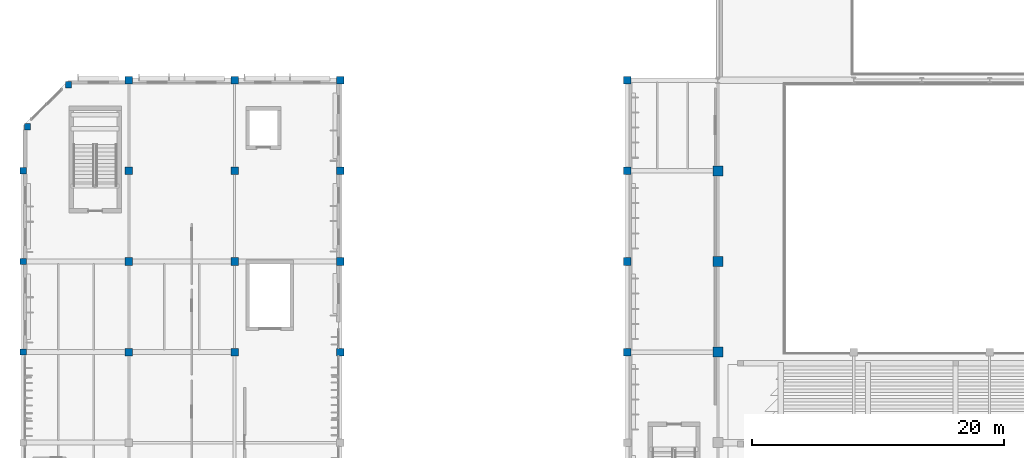
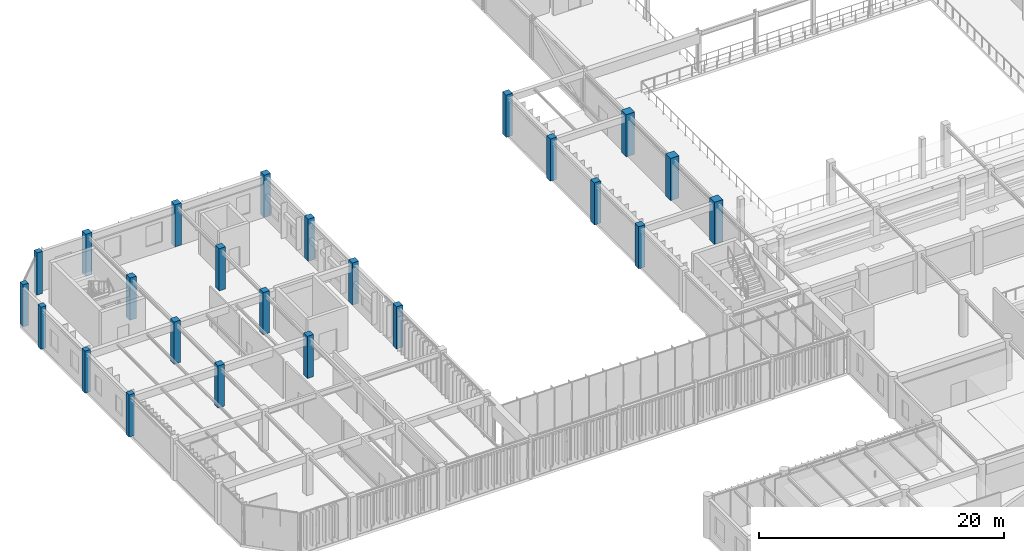
# One storey, part 6 of 122: 24 columns.
"""IFC4 building model written with IfcOpenShell, lengths in metres."""

from ifc_helpers import new_model, si_unit, direction, frame, origin, origin_2d, place, context, subcontext, project, spatial, rectangle, extrude, material, material_profile, profile_set, type_object, element, save


model = new_model("IFC4")

# Units and contexts
model_context = context("Model", 3, precision=1e-05, world=origin(), true_north=direction((0.0, 1.0)))
body_context = subcontext(model_context, "Body", "Model", "MODEL_VIEW")
ifc_project = project(units=[si_unit("LENGTHUNIT", "METRE"), si_unit("AREAUNIT", "SQUARE_METRE"), si_unit("VOLUMEUNIT", "CUBIC_METRE"), si_unit("PLANEANGLEUNIT", "RADIAN"), si_unit("MASSUNIT", "GRAM", prefix="KILO")], contexts=[model_context])

# Site, building, storey
site_placement = place(None, origin())
site = spatial("IfcSite", under=ifc_project, at=site_placement, CompositionType="ELEMENT")
building_placement = place(site_placement, origin())
building = spatial("IfcBuilding", under=site, at=building_placement, Name="Tazoul Stagehouse", CompositionType="ELEMENT")
storey_placement = place(building_placement, frame((0.0, 0.0, 4.800048828125)))
storey = spatial("IfcBuildingStorey", under=building, at=storey_placement, Name="L01", CompositionType="ELEMENT", Elevation=4.800048828125)

# Columns
ifc_material = material(Name="Concrete C40/50", Category="concrete")
ifc_material_profile_1 = material_profile(ifc_material, rectangle(XDim=0.5, YDim=0.5, at=origin_2d()), Name="RC 500x500")
ifc_profile_set_1 = profile_set([ifc_material_profile_1], Name="Concrete C40/50")
column_type_1 = type_object("IfcColumnType", Name="RC Column 500x500 (Exterior)", PredefinedType="COLUMN", material=ifc_profile_set_1)
for number, where, z_axis, x_axis, name in (
    (1, (2.39990234375, 66.199951171875, 0.0), (0.0, 0.0, 1.0), (1.0, 0.0, 0.0), "L01 Column C-02E at 1/K"),
    (2, (2.39990234375, 73.39990234375, 0.0), (0.0, 0.0, 1.0), (1.0, 0.0, 0.0), "L01 Column C-02E at 1/L"),
    (3, (2.39990234375, 80.60009765625, 0.0), (0.0, 0.0, 1.0), (1.0, 0.0, 0.0), "L01 Column C-02E at 1/M"),
    (4, (6.0, 87.449951171875, 0.0), (0.0, 0.0, 1.0), (1.0, 0.0, 0.0), "L01 Black-Box Chamfer Column C-02E (1)"),
    (5, (2.75, 84.10009765625, 0.0), (0.0, 0.0, 1.0), (1.0, 0.0, 0.0), "L01 Black-Box Chamfer Column C-02E (2)"),
):
    element("IfcColumn", number, at=place(storey_placement, frame(where, z_axis=z_axis, x_axis=x_axis)), inside=storey, type_object=column_type_1, Name=name, PredefinedType="COLUMN", context=body_context, shape_type="SweptSolid", body=[
        extrude(rectangle(XDim=0.5, YDim=0.5, at=origin_2d()), origin(), (0.0, 0.0, 1.0), 4.199951171875),
    ])
ifc_material_profile_2 = material_profile(ifc_material, rectangle(XDim=0.60009765625, YDim=0.60009765625, at=origin_2d()), Name="RC 600x600")
ifc_profile_set_2 = profile_set([ifc_material_profile_2], Name="Concrete C40/50")
column_type_2 = type_object("IfcColumnType", Name="RC Column 600x600", PredefinedType="COLUMN", material=ifc_profile_set_2)
for number, where, z_axis, x_axis, name in (
    (6, (10.800048828125, 66.199951171875, 0.0), (0.0, 0.0, 1.0), (1.0, 0.0, 0.0), "L01 Column C-03 at 2/K"),
    (7, (10.800048828125, 73.39990234375, 0.0), (0.0, 0.0, 1.0), (1.0, 0.0, 0.0), "L01 Column C-03 at 2/L"),
    (8, (10.800048828125, 80.60009765625, 0.0), (0.0, 0.0, 1.0), (1.0, 0.0, 0.0), "L01 Column C-03 at 2/M"),
    (9, (19.199951171875, 66.199951171875, 0.0), (0.0, 0.0, 1.0), (1.0, 0.0, 0.0), "L01 Column C-03 at 3/K"),
    (10, (19.199951171875, 73.39990234375, 0.0), (0.0, 0.0, 1.0), (1.0, 0.0, 0.0), "L01 Column C-03 at 3/L"),
    (11, (19.199951171875, 80.60009765625, 0.0), (0.0, 0.0, 1.0), (1.0, 0.0, 0.0), "L01 Column C-03 at 3/M"),
):
    element("IfcColumn", number, at=place(storey_placement, frame(where, z_axis=z_axis, x_axis=x_axis)), inside=storey, type_object=column_type_2, Name=name, PredefinedType="COLUMN", context=body_context, shape_type="SweptSolid", body=[
        extrude(rectangle(XDim=0.60009765625, YDim=0.60009765625, at=origin_2d()), origin(), (0.0, 0.0, 1.0), 4.199951171875),
    ])
ifc_material_profile_3 = material_profile(ifc_material, rectangle(XDim=0.60009765625, YDim=0.60009765625, at=origin_2d()), Name="RC 600x600")
ifc_profile_set_3 = profile_set([ifc_material_profile_3], Name="Concrete C40/50")
column_type_3 = type_object("IfcColumnType", Name="RC Column 600x600 (Exterior)", PredefinedType="COLUMN", material=ifc_profile_set_3)
for number, where, z_axis, x_axis, name in (
    (12, (10.800048828125, 87.800048828125, 0.0), (0.0, 0.0, 1.0), (1.0, 0.0, 0.0), "L01 Column C-03E at 2/N"),
    (13, (19.199951171875, 87.800048828125, 0.0), (0.0, 0.0, 1.0), (1.0, 0.0, 0.0), "L01 Column C-03E at 3/N"),
    (14, (27.60009765625, 66.199951171875, 0.0), (0.0, 0.0, 1.0), (1.0, 0.0, 0.0), "L01 Column C-03E at 4/K"),
    (15, (27.60009765625, 73.39990234375, 0.0), (0.0, 0.0, 1.0), (1.0, 0.0, 0.0), "L01 Column C-03E at 4/L"),
    (16, (27.60009765625, 80.60009765625, 0.0), (0.0, 0.0, 1.0), (1.0, 0.0, 0.0), "L01 Column C-03E at 4/M"),
    (17, (27.60009765625, 87.800048828125, 0.0), (0.0, 0.0, 1.0), (1.0, 0.0, 0.0), "L01 Column C-03E at 4/N"),
    (18, (50.39990234375, 66.199951171875, 0.0), (0.0, 0.0, 1.0), (1.0, 0.0, 0.0), "L01 Column C-03E at 7/K"),
    (19, (50.39990234375, 73.39990234375, 0.0), (0.0, 0.0, 1.0), (1.0, 0.0, 0.0), "L01 Column C-03E at 7/L"),
    (20, (50.39990234375, 80.60009765625, 0.0), (0.0, 0.0, 1.0), (1.0, 0.0, 0.0), "L01 Column C-03E at 7/M"),
    (21, (50.39990234375, 87.800048828125, 0.0), (0.0, 0.0, 1.0), (1.0, 0.0, 0.0), "L01 Column C-03E at 7/N"),
):
    element("IfcColumn", number, at=place(storey_placement, frame(where, z_axis=z_axis, x_axis=x_axis)), inside=storey, type_object=column_type_3, Name=name, PredefinedType="COLUMN", context=body_context, shape_type="SweptSolid", body=[
        extrude(rectangle(XDim=0.60009765625, YDim=0.60009765625, at=origin_2d()), origin(), (0.0, 0.0, 1.0), 4.199951171875),
    ])
ifc_material_profile_4 = material_profile(ifc_material, rectangle(XDim=0.800048828125, YDim=0.800048828125, at=origin_2d()), Name="RC 800x800")
ifc_profile_set_4 = profile_set([ifc_material_profile_4], Name="Concrete C40/50")
column_type_4 = type_object("IfcColumnType", Name="RC Column 800x800", PredefinedType="COLUMN", material=ifc_profile_set_4)
for number, where, z_axis, x_axis, name in (
    (22, (57.60009765625, 66.199951171875, 0.0), (0.0, 0.0, 1.0), (1.0, 0.0, 0.0), "L01 Column C-05 at 8/K"),
    (23, (57.60009765625, 73.39990234375, 0.0), (0.0, 0.0, 1.0), (1.0, 0.0, 0.0), "L01 Column C-05 at 8/L"),
    (24, (57.60009765625, 80.60009765625, 0.0), (0.0, 0.0, 1.0), (1.0, 0.0, 0.0), "L01 Column C-05 at 8/M"),
):
    element("IfcColumn", number, at=place(storey_placement, frame(where, z_axis=z_axis, x_axis=x_axis)), inside=storey, type_object=column_type_4, Name=name, PredefinedType="COLUMN", context=body_context, shape_type="SweptSolid", body=[
        extrude(rectangle(XDim=0.800048828125, YDim=0.800048828125, at=origin_2d()), origin(), (0.0, 0.0, 1.0), 4.199951171875),
    ])

save(model, "model.ifc")
